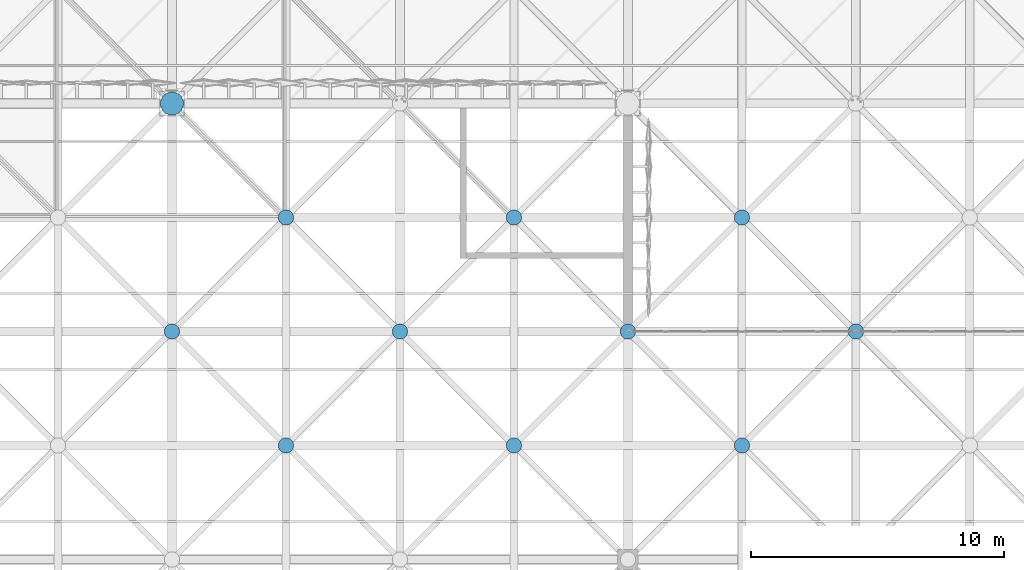
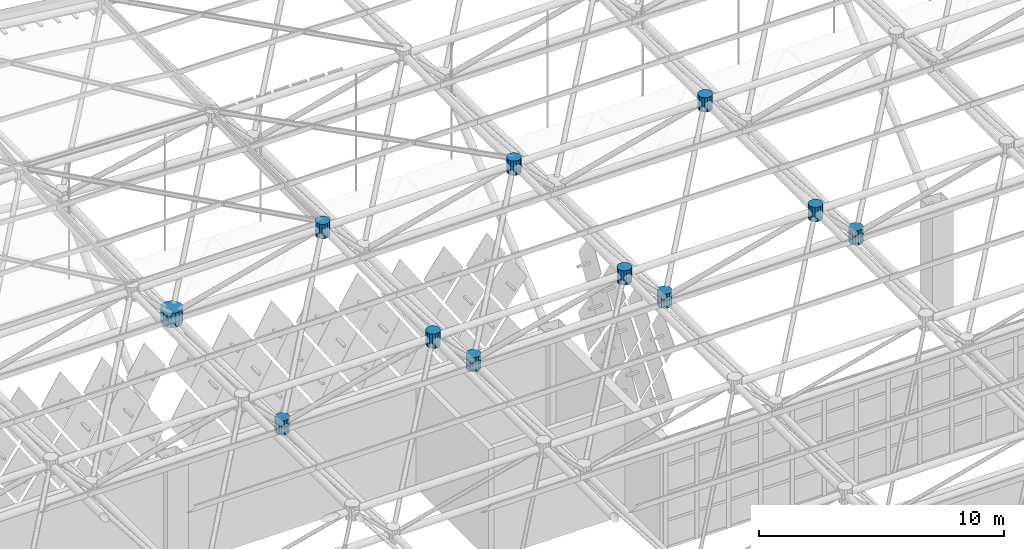
# One storey, part 322 of 437: 11 discrete accessories.
"""IFC4 building model written with IfcOpenShell, lengths in metres."""

from ifc_helpers import new_model, si_unit, direction, frame, origin, place, context, subcontext, project, spatial, polyline, outline, extrude, material, type_object, element, save


model = new_model("IFC4")

# Units and contexts
model_context = context("Model", 3, precision=1e-05, world=origin(), true_north=direction((0.0, 1.0)))
body_context = subcontext(model_context, "Body", "Model", "MODEL_VIEW")
ifc_project = project(units=[si_unit("LENGTHUNIT", "METRE"), si_unit("AREAUNIT", "SQUARE_METRE"), si_unit("VOLUMEUNIT", "CUBIC_METRE"), si_unit("PLANEANGLEUNIT", "RADIAN"), si_unit("MASSUNIT", "GRAM", prefix="KILO")], contexts=[model_context])

# Site, building, storey
site_placement = place(None, origin())
site = spatial("IfcSite", under=ifc_project, at=site_placement, CompositionType="ELEMENT")
building_placement = place(site_placement, origin())
building = spatial("IfcBuilding", under=site, at=building_placement, Name="Opaline Strait Convention Centre", CompositionType="ELEMENT")
storey_placement = place(building_placement, frame((0.0, 0.0, 11.5)))
storey = spatial("IfcBuildingStorey", under=building, at=storey_placement, Name="L02", CompositionType="ELEMENT", Elevation=11.5)

# Discrete accessories
ifc_material = material(Name="Cast steel ZG300-500H (300 MPa)", Category="steel")
discrete_accessory_type_1 = type_object("IfcDiscreteAccessoryType", Name="Space frame bearing node hub D900", PredefinedType="USERDEFINED", material=ifc_material)
discrete_accessory_1_placement = place(storey_placement, frame((0.0, 0.0, 12.139892578125)))
element("IfcDiscreteAccessory", 1, at=discrete_accessory_1_placement, inside=storey, type_object=discrete_accessory_type_1, Name="Bottom node 6/13", ObjectType="NODE HUB", PredefinedType="USERDEFINED", context=body_context, shape_type="SweptSolid", body=[
    extrude(outline(polyline([(135.449951171875, 153.089599609375), (135.381591796875, 153.2548828125), (135.2548828125, 153.381591796875), (135.089599609375, 153.449951171875), (134.910400390625, 153.449951171875), (134.7451171875, 153.381591796875), (134.618408203125, 153.2548828125), (134.550048828125, 153.089599609375), (134.550048828125, 152.910400390625), (134.618408203125, 152.7451171875), (134.7451171875, 152.618408203125), (134.910400390625, 152.550048828125), (135.089599609375, 152.550048828125), (135.2548828125, 152.618408203125), (135.381591796875, 152.7451171875), (135.449951171875, 152.910400390625), (135.449951171875, 153.089599609375)])), origin(), (0.0, 0.0, 1.0), 0.72021484375),
])
discrete_accessory_type_2 = type_object("IfcDiscreteAccessoryType", Name="Space frame node hub D600", PredefinedType="USERDEFINED", material=ifc_material)
discrete_accessory_2_placement = place(storey_placement, frame((0.0, 0.0, 17.611572265625)))
element("IfcDiscreteAccessory", 2, at=discrete_accessory_2_placement, inside=storey, type_object=discrete_accessory_type_2, Name="Top node 7/12", ObjectType="NODE HUB", PredefinedType="USERDEFINED", context=body_context, shape_type="SweptSolid", body=[
    extrude(outline(polyline([(139.800048828125, 139.559814453125), (139.75439453125, 139.669921875), (139.669921875, 139.75439453125), (139.559814453125, 139.800048828125), (139.440185546875, 139.800048828125), (139.330078125, 139.75439453125), (139.24560546875, 139.669921875), (139.199951171875, 139.559814453125), (139.199951171875, 139.440185546875), (139.24560546875, 139.330078125), (139.330078125, 139.24560546875), (139.440185546875, 139.199951171875), (139.559814453125, 139.199951171875), (139.669921875, 139.24560546875), (139.75439453125, 139.330078125), (139.800048828125, 139.440185546875), (139.800048828125, 139.559814453125)])), origin(), (0.0, 0.0, 1.0), 0.719970703125),
])
discrete_accessory_3_placement = place(storey_placement, frame((0.0, 0.0, 17.611572265625)))
element("IfcDiscreteAccessory", 3, at=discrete_accessory_3_placement, inside=storey, type_object=discrete_accessory_type_2, Name="Top node 7/13", ObjectType="NODE HUB", PredefinedType="USERDEFINED", context=body_context, shape_type="SweptSolid", body=[
    extrude(outline(polyline([(139.800048828125, 148.559814453125), (139.75439453125, 148.669921875), (139.669921875, 148.75439453125), (139.559814453125, 148.800048828125), (139.440185546875, 148.800048828125), (139.330078125, 148.75439453125), (139.24560546875, 148.669921875), (139.199951171875, 148.559814453125), (139.199951171875, 148.440185546875), (139.24560546875, 148.330078125), (139.330078125, 148.24560546875), (139.440185546875, 148.199951171875), (139.559814453125, 148.199951171875), (139.669921875, 148.24560546875), (139.75439453125, 148.330078125), (139.800048828125, 148.440185546875), (139.800048828125, 148.559814453125)])), origin(), (0.0, 0.0, 1.0), 0.719970703125),
])
discrete_accessory_4_placement = place(storey_placement, frame((0.0, 0.0, 17.611572265625)))
element("IfcDiscreteAccessory", 4, at=discrete_accessory_4_placement, inside=storey, type_object=discrete_accessory_type_2, Name="Top node 8/12", ObjectType="NODE HUB", PredefinedType="USERDEFINED", context=body_context, shape_type="SweptSolid", body=[
    extrude(outline(polyline([(148.800048828125, 139.559814453125), (148.75439453125, 139.669921875), (148.669921875, 139.75439453125), (148.559814453125, 139.800048828125), (148.440185546875, 139.800048828125), (148.330078125, 139.75439453125), (148.24560546875, 139.669921875), (148.199951171875, 139.559814453125), (148.199951171875, 139.440185546875), (148.24560546875, 139.330078125), (148.330078125, 139.24560546875), (148.440185546875, 139.199951171875), (148.559814453125, 139.199951171875), (148.669921875, 139.24560546875), (148.75439453125, 139.330078125), (148.800048828125, 139.440185546875), (148.800048828125, 139.559814453125)])), origin(), (0.0, 0.0, 1.0), 0.719970703125),
])
discrete_accessory_5_placement = place(storey_placement, frame((0.0, 0.0, 17.611572265625)))
element("IfcDiscreteAccessory", 5, at=discrete_accessory_5_placement, inside=storey, type_object=discrete_accessory_type_2, Name="Top node 8/13", ObjectType="NODE HUB", PredefinedType="USERDEFINED", context=body_context, shape_type="SweptSolid", body=[
    extrude(outline(polyline([(148.800048828125, 148.559814453125), (148.75439453125, 148.669921875), (148.669921875, 148.75439453125), (148.559814453125, 148.800048828125), (148.440185546875, 148.800048828125), (148.330078125, 148.75439453125), (148.24560546875, 148.669921875), (148.199951171875, 148.559814453125), (148.199951171875, 148.440185546875), (148.24560546875, 148.330078125), (148.330078125, 148.24560546875), (148.440185546875, 148.199951171875), (148.559814453125, 148.199951171875), (148.669921875, 148.24560546875), (148.75439453125, 148.330078125), (148.800048828125, 148.440185546875), (148.800048828125, 148.559814453125)])), origin(), (0.0, 0.0, 1.0), 0.719970703125),
])
discrete_accessory_6_placement = place(storey_placement, frame((0.0, 0.0, 17.611572265625)))
element("IfcDiscreteAccessory", 6, at=discrete_accessory_6_placement, inside=storey, type_object=discrete_accessory_type_2, Name="Top node 9/12", ObjectType="NODE HUB", PredefinedType="USERDEFINED", context=body_context, shape_type="SweptSolid", body=[
    extrude(outline(polyline([(157.800048828125, 139.559814453125), (157.75439453125, 139.669921875), (157.669921875, 139.75439453125), (157.559814453125, 139.800048828125), (157.440185546875, 139.800048828125), (157.330078125, 139.75439453125), (157.24560546875, 139.669921875), (157.199951171875, 139.559814453125), (157.199951171875, 139.440185546875), (157.24560546875, 139.330078125), (157.330078125, 139.24560546875), (157.440185546875, 139.199951171875), (157.559814453125, 139.199951171875), (157.669921875, 139.24560546875), (157.75439453125, 139.330078125), (157.800048828125, 139.440185546875), (157.800048828125, 139.559814453125)])), origin(), (0.0, 0.0, 1.0), 0.719970703125),
])
discrete_accessory_7_placement = place(storey_placement, frame((0.0, 0.0, 17.611572265625)))
element("IfcDiscreteAccessory", 7, at=discrete_accessory_7_placement, inside=storey, type_object=discrete_accessory_type_2, Name="Top node 9/13", ObjectType="NODE HUB", PredefinedType="USERDEFINED", context=body_context, shape_type="SweptSolid", body=[
    extrude(outline(polyline([(157.800048828125, 148.559814453125), (157.75439453125, 148.669921875), (157.669921875, 148.75439453125), (157.559814453125, 148.800048828125), (157.440185546875, 148.800048828125), (157.330078125, 148.75439453125), (157.24560546875, 148.669921875), (157.199951171875, 148.559814453125), (157.199951171875, 148.440185546875), (157.24560546875, 148.330078125), (157.330078125, 148.24560546875), (157.440185546875, 148.199951171875), (157.559814453125, 148.199951171875), (157.669921875, 148.24560546875), (157.75439453125, 148.330078125), (157.800048828125, 148.440185546875), (157.800048828125, 148.559814453125)])), origin(), (0.0, 0.0, 1.0), 0.719970703125),
])
discrete_accessory_8_placement = place(storey_placement, frame((0.0, 0.0, 12.139892578125)))
element("IfcDiscreteAccessory", 8, at=discrete_accessory_8_placement, inside=storey, type_object=discrete_accessory_type_2, Name="Bottom node 6/12", ObjectType="NODE HUB", PredefinedType="USERDEFINED", context=body_context, shape_type="SweptSolid", body=[
    extrude(outline(polyline([(135.300048828125, 144.059814453125), (135.25439453125, 144.169921875), (135.169921875, 144.25439453125), (135.059814453125, 144.300048828125), (134.940185546875, 144.300048828125), (134.830078125, 144.25439453125), (134.74560546875, 144.169921875), (134.699951171875, 144.059814453125), (134.699951171875, 143.940185546875), (134.74560546875, 143.830078125), (134.830078125, 143.74560546875), (134.940185546875, 143.699951171875), (135.059814453125, 143.699951171875), (135.169921875, 143.74560546875), (135.25439453125, 143.830078125), (135.300048828125, 143.940185546875), (135.300048828125, 144.059814453125)])), origin(), (0.0, 0.0, 1.0), 0.72021484375),
])
discrete_accessory_9_placement = place(storey_placement, frame((0.0, 0.0, 12.139892578125)))
element("IfcDiscreteAccessory", 9, at=discrete_accessory_9_placement, inside=storey, type_object=discrete_accessory_type_2, Name="Bottom node 7/12", ObjectType="NODE HUB", PredefinedType="USERDEFINED", context=body_context, shape_type="SweptSolid", body=[
    extrude(outline(polyline([(144.300048828125, 144.059814453125), (144.25439453125, 144.169921875), (144.169921875, 144.25439453125), (144.059814453125, 144.300048828125), (143.940185546875, 144.300048828125), (143.830078125, 144.25439453125), (143.74560546875, 144.169921875), (143.699951171875, 144.059814453125), (143.699951171875, 143.940185546875), (143.74560546875, 143.830078125), (143.830078125, 143.74560546875), (143.940185546875, 143.699951171875), (144.059814453125, 143.699951171875), (144.169921875, 143.74560546875), (144.25439453125, 143.830078125), (144.300048828125, 143.940185546875), (144.300048828125, 144.059814453125)])), origin(), (0.0, 0.0, 1.0), 0.72021484375),
])
discrete_accessory_10_placement = place(storey_placement, frame((0.0, 0.0, 12.139892578125)))
element("IfcDiscreteAccessory", 10, at=discrete_accessory_10_placement, inside=storey, type_object=discrete_accessory_type_2, Name="Bottom node 8/12", ObjectType="NODE HUB", PredefinedType="USERDEFINED", context=body_context, shape_type="SweptSolid", body=[
    extrude(outline(polyline([(153.300048828125, 144.059814453125), (153.25439453125, 144.169921875), (153.169921875, 144.25439453125), (153.059814453125, 144.300048828125), (152.940185546875, 144.300048828125), (152.830078125, 144.25439453125), (152.74560546875, 144.169921875), (152.699951171875, 144.059814453125), (152.699951171875, 143.940185546875), (152.74560546875, 143.830078125), (152.830078125, 143.74560546875), (152.940185546875, 143.699951171875), (153.059814453125, 143.699951171875), (153.169921875, 143.74560546875), (153.25439453125, 143.830078125), (153.300048828125, 143.940185546875), (153.300048828125, 144.059814453125)])), origin(), (0.0, 0.0, 1.0), 0.72021484375),
])
discrete_accessory_11_placement = place(storey_placement, frame((0.0, 0.0, 12.139892578125)))
element("IfcDiscreteAccessory", 11, at=discrete_accessory_11_placement, inside=storey, type_object=discrete_accessory_type_2, Name="Bottom node 9/12", ObjectType="NODE HUB", PredefinedType="USERDEFINED", context=body_context, shape_type="SweptSolid", body=[
    extrude(outline(polyline([(162.300048828125, 144.059814453125), (162.25439453125, 144.169921875), (162.169921875, 144.25439453125), (162.059814453125, 144.300048828125), (161.940185546875, 144.300048828125), (161.830078125, 144.25439453125), (161.74560546875, 144.169921875), (161.699951171875, 144.059814453125), (161.699951171875, 143.940185546875), (161.74560546875, 143.830078125), (161.830078125, 143.74560546875), (161.940185546875, 143.699951171875), (162.059814453125, 143.699951171875), (162.169921875, 143.74560546875), (162.25439453125, 143.830078125), (162.300048828125, 143.940185546875), (162.300048828125, 144.059814453125)])), origin(), (0.0, 0.0, 1.0), 0.72021484375),
])

save(model, "model.ifc")
